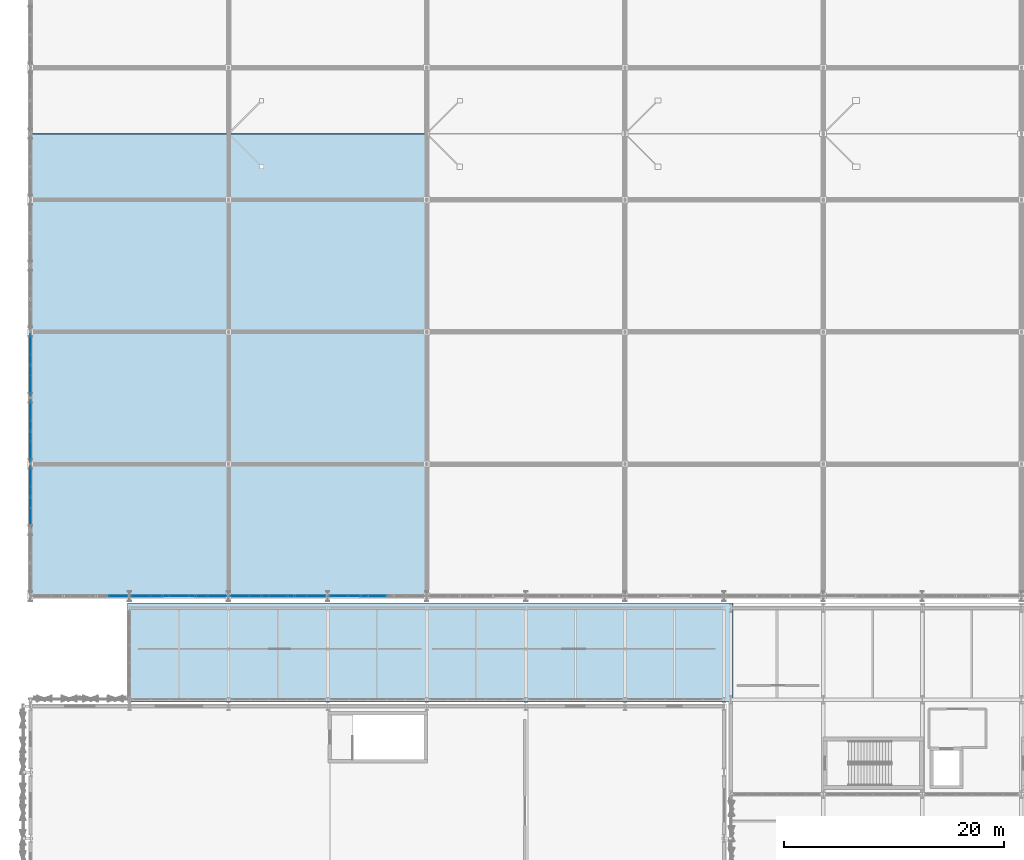
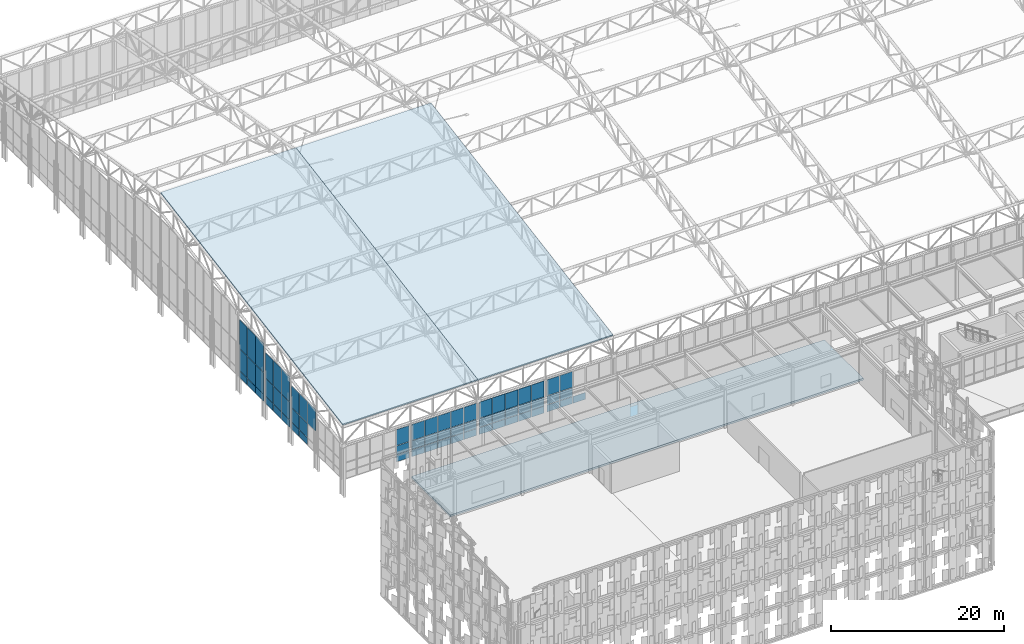
# One storey, part 180 of 239: 65 plates, 3 slabs, 8 elements without a shape of their own.
"""IFC4 building model written with IfcOpenShell, lengths in metres."""

from ifc_helpers import new_model, si_unit, direction, frame, origin, origin_2d, place, context, subcontext, project, spatial, polyline, rectangle, outline, extrude, material, layer, layer_set, type_object, element, aggregate, save


model = new_model("IFC4")

# Units and contexts
model_context = context("Model", 3, precision=1e-05, world=origin(), true_north=direction((0.0, 1.0)))
body_context = subcontext(model_context, "Body", "Model", "MODEL_VIEW")
ifc_project = project(units=[si_unit("LENGTHUNIT", "METRE"), si_unit("AREAUNIT", "SQUARE_METRE"), si_unit("VOLUMEUNIT", "CUBIC_METRE"), si_unit("PLANEANGLEUNIT", "RADIAN"), si_unit("MASSUNIT", "GRAM", prefix="KILO")], contexts=[model_context])

# Site, building, storey
site_placement = place(None, origin())
site = spatial("IfcSite", under=ifc_project, at=site_placement, CompositionType="ELEMENT")
building_placement = place(site_placement, origin())
building = spatial("IfcBuilding", under=site, at=building_placement, Name="Kaldris Quays Convention Centre", CompositionType="ELEMENT")
storey_placement = place(building_placement, frame((0.0, 0.0, 11.39990234375)))
storey = spatial("IfcBuildingStorey", under=building, at=storey_placement, Name="L02", CompositionType="ELEMENT", Elevation=11.39990234375)

# Curtain wall, plates
ifc_material_1 = material(Name="Anodized aluminium AW-6060 and triple glazing", Category="aluminium")
curtain_wall_type = type_object("IfcCurtainWallType", Name="UNITISED CURTAIN WALL CW03", PredefinedType="NOTDEFINED", material=ifc_material_1)
curtain_wall_1_placement = place(storey_placement, origin())
curtain_wall_1 = element("IfcCurtainWall", 1, at=curtain_wall_1_placement, inside=storey, type_object=curtain_wall_type, Name="L02 Unitised Curtain Wall CW03 233", PredefinedType="NOTDEFINED")
ifc_material_2 = material(Name="Triple low-E insulated glazing", Category="glass")
plate_type_1 = type_object("IfcPlateType", Name="CURTAIN GLAZING PANEL CWP1", PredefinedType="CURTAIN_PANEL", material=ifc_material_2)
plate_1_placement = place(storey_placement, frame((48.027099609375, 56.0, 2.255126953125), z_axis=(0.0, 0.0, 1.0), x_axis=(1.0, 0.0, 0.0)))
plate_1 = element("IfcPlate", 2, at=plate_1_placement, type_object=plate_type_1, Name="CW03 panel 1.1", PredefinedType="CURTAIN_PANEL", context=body_context, shape_type="SweptSolid", body=[
    extrude(rectangle(XDim=1.654052734375, YDim=0.029052734375, at=origin_2d()), origin(), (0.0, 0.0, 1.0), 0.9599609375),
])
plate_2_placement = place(storey_placement, frame((48.027099609375, 56.0, 3.27490234375), z_axis=(0.0, 0.0, 1.0), x_axis=(1.0, 0.0, 0.0)))
plate_2 = element("IfcPlate", 3, at=plate_2_placement, type_object=plate_type_1, Name="CW03 panel 1.2", PredefinedType="CURTAIN_PANEL", context=body_context, shape_type="SweptSolid", body=[
    extrude(rectangle(XDim=1.654052734375, YDim=0.029052734375, at=origin_2d()), origin(), (0.0, 0.0, 1.0), 1.217041015625),
])
plate_3_placement = place(storey_placement, frame((48.027099609375, 56.0, 4.55224609375), z_axis=(0.0, 0.0, 1.0), x_axis=(1.0, 0.0, 0.0)))
plate_3 = element("IfcPlate", 4, at=plate_3_placement, type_object=plate_type_1, Name="CW03 panel 1.3", PredefinedType="CURTAIN_PANEL", context=body_context, shape_type="SweptSolid", body=[
    extrude(rectangle(XDim=1.654052734375, YDim=0.029052734375, at=origin_2d()), origin(), (0.0, 0.0, 1.0), 2.238037109375),
])
plate_4_placement = place(storey_placement, frame((49.756103515625, 56.0, 2.255126953125), z_axis=(0.0, 0.0, 1.0), x_axis=(1.0, 0.0, 0.0)))
plate_4 = element("IfcPlate", 5, at=plate_4_placement, type_object=plate_type_1, Name="CW03 panel 2.1", PredefinedType="CURTAIN_PANEL", context=body_context, shape_type="SweptSolid", body=[
    extrude(rectangle(XDim=1.68408203125, YDim=0.029052734375, at=origin_2d()), origin(), (0.0, 0.0, 1.0), 0.9599609375),
])
plate_5_placement = place(storey_placement, frame((49.756103515625, 56.0, 3.27490234375), z_axis=(0.0, 0.0, 1.0), x_axis=(1.0, 0.0, 0.0)))
plate_5 = element("IfcPlate", 6, at=plate_5_placement, type_object=plate_type_1, Name="CW03 panel 2.2", PredefinedType="CURTAIN_PANEL", context=body_context, shape_type="SweptSolid", body=[
    extrude(rectangle(XDim=1.68408203125, YDim=0.029052734375, at=origin_2d()), origin(), (0.0, 0.0, 1.0), 1.217041015625),
])
plate_6_placement = place(storey_placement, frame((49.756103515625, 56.0, 4.55224609375), z_axis=(0.0, 0.0, 1.0), x_axis=(1.0, 0.0, 0.0)))
plate_6 = element("IfcPlate", 7, at=plate_6_placement, type_object=plate_type_1, Name="CW03 panel 2.3", PredefinedType="CURTAIN_PANEL", context=body_context, shape_type="SweptSolid", body=[
    extrude(rectangle(XDim=1.68408203125, YDim=0.029052734375, at=origin_2d()), origin(), (0.0, 0.0, 1.0), 2.238037109375),
])
plate_7_placement = place(storey_placement, frame((51.5, 56.0, 2.255126953125), z_axis=(0.0, 0.0, 1.0), x_axis=(1.0, 0.0, 0.0)))
plate_7 = element("IfcPlate", 8, at=plate_7_placement, type_object=plate_type_1, Name="CW03 panel 3.1", PredefinedType="CURTAIN_PANEL", context=body_context, shape_type="SweptSolid", body=[
    extrude(rectangle(XDim=1.68408203125, YDim=0.029052734375, at=origin_2d()), origin(), (0.0, 0.0, 1.0), 0.9599609375),
])
aggregate(curtain_wall_1, [plate_1, plate_2, plate_3, plate_4, plate_5, plate_6, plate_7])

curtain_wall_2_placement = place(storey_placement, origin())
curtain_wall_2 = element("IfcCurtainWall", 9, at=curtain_wall_2_placement, inside=storey, type_object=curtain_wall_type, Name="L02 Unitised Curtain Wall CW03 227", PredefinedType="NOTDEFINED")
plate_type_2 = type_object("IfcPlateType", Name="CURTAIN GLAZING PANEL CWP3", PredefinedType="CURTAIN_PANEL", material=ifc_material_2)
plate_8_placement = place(storey_placement, frame((27.972900390625, 56.0, 2.255126953125), z_axis=(0.0, 0.0, 1.0), x_axis=(1.0, 0.0, 0.0)))
plate_8 = element("IfcPlate", 10, at=plate_8_placement, type_object=plate_type_2, Name="CW03 panel 5.1", PredefinedType="CURTAIN_PANEL", context=body_context, shape_type="SweptSolid", body=[
    extrude(rectangle(XDim=1.654052734375, YDim=0.0390625, at=origin_2d()), origin(), (0.0, 0.0, 1.0), 0.9599609375),
])
plate_9_placement = place(storey_placement, frame((27.972900390625, 56.0, 3.27490234375), z_axis=(0.0, 0.0, 1.0), x_axis=(1.0, 0.0, 0.0)))
plate_9 = element("IfcPlate", 11, at=plate_9_placement, type_object=plate_type_2, Name="CW03 panel 5.2", PredefinedType="CURTAIN_PANEL", context=body_context, shape_type="SweptSolid", body=[
    extrude(rectangle(XDim=1.654052734375, YDim=0.0390625, at=origin_2d()), origin(), (0.0, 0.0, 1.0), 1.217041015625),
])
plate_10_placement = place(storey_placement, frame((27.972900390625, 56.0, 4.55224609375), z_axis=(0.0, 0.0, 1.0), x_axis=(1.0, 0.0, 0.0)))
plate_10 = element("IfcPlate", 12, at=plate_10_placement, type_object=plate_type_2, Name="CW03 panel 5.3", PredefinedType="CURTAIN_PANEL", context=body_context, shape_type="SweptSolid", body=[
    extrude(rectangle(XDim=1.654052734375, YDim=0.0390625, at=origin_2d()), origin(), (0.0, 0.0, 1.0), 2.238037109375),
])
aggregate(curtain_wall_2, [plate_8, plate_9, plate_10])

curtain_wall_3_placement = place(storey_placement, origin())
curtain_wall_3 = element("IfcCurtainWall", 13, at=curtain_wall_3_placement, inside=storey, type_object=curtain_wall_type, Name="L02 Unitised Curtain Wall CW03 229", PredefinedType="NOTDEFINED")
plate_type_3 = type_object("IfcPlateType", Name="CURTAIN GLAZING PANEL CWP5", PredefinedType="CURTAIN_PANEL", material=ifc_material_2)
plate_11_placement = place(storey_placement, frame((30.027099609375, 56.0, 2.255126953125), z_axis=(0.0, 0.0, 1.0), x_axis=(1.0, 0.0, 0.0)))
plate_11 = element("IfcPlate", 14, at=plate_11_placement, type_object=plate_type_3, Name="CW03 panel 1.1", PredefinedType="CURTAIN_PANEL", context=body_context, shape_type="SweptSolid", body=[
    extrude(rectangle(XDim=1.654052734375, YDim=0.049072265625, at=origin_2d()), origin(), (0.0, 0.0, 1.0), 0.9599609375),
])
plate_12_placement = place(storey_placement, frame((30.027099609375, 56.0, 3.27490234375), z_axis=(0.0, 0.0, 1.0), x_axis=(1.0, 0.0, 0.0)))
plate_12 = element("IfcPlate", 15, at=plate_12_placement, type_object=plate_type_3, Name="CW03 panel 1.2", PredefinedType="CURTAIN_PANEL", context=body_context, shape_type="SweptSolid", body=[
    extrude(rectangle(XDim=1.654052734375, YDim=0.049072265625, at=origin_2d()), origin(), (0.0, 0.0, 1.0), 1.217041015625),
])
plate_13_placement = place(storey_placement, frame((30.027099609375, 56.0, 4.55224609375), z_axis=(0.0, 0.0, 1.0), x_axis=(1.0, 0.0, 0.0)))
plate_13 = element("IfcPlate", 16, at=plate_13_placement, type_object=plate_type_3, Name="CW03 panel 1.3", PredefinedType="CURTAIN_PANEL", context=body_context, shape_type="SweptSolid", body=[
    extrude(rectangle(XDim=1.654052734375, YDim=0.049072265625, at=origin_2d()), origin(), (0.0, 0.0, 1.0), 2.238037109375),
])
plate_14_placement = place(storey_placement, frame((31.756103515625, 56.0, 2.255126953125), z_axis=(0.0, 0.0, 1.0), x_axis=(1.0, 0.0, 0.0)))
plate_14 = element("IfcPlate", 17, at=plate_14_placement, type_object=plate_type_3, Name="CW03 panel 2.1", PredefinedType="CURTAIN_PANEL", context=body_context, shape_type="SweptSolid", body=[
    extrude(rectangle(XDim=1.68408203125, YDim=0.049072265625, at=origin_2d()), origin(), (0.0, 0.0, 1.0), 0.9599609375),
])
plate_15_placement = place(storey_placement, frame((31.756103515625, 56.0, 3.27490234375), z_axis=(0.0, 0.0, 1.0), x_axis=(1.0, 0.0, 0.0)))
plate_15 = element("IfcPlate", 18, at=plate_15_placement, type_object=plate_type_3, Name="CW03 panel 2.2", PredefinedType="CURTAIN_PANEL", context=body_context, shape_type="SweptSolid", body=[
    extrude(rectangle(XDim=1.68408203125, YDim=0.049072265625, at=origin_2d()), origin(), (0.0, 0.0, 1.0), 1.217041015625),
])
plate_16_placement = place(storey_placement, frame((31.756103515625, 56.0, 4.55224609375), z_axis=(0.0, 0.0, 1.0), x_axis=(1.0, 0.0, 0.0)))
plate_16 = element("IfcPlate", 19, at=plate_16_placement, type_object=plate_type_3, Name="CW03 panel 2.3", PredefinedType="CURTAIN_PANEL", context=body_context, shape_type="SweptSolid", body=[
    extrude(rectangle(XDim=1.68408203125, YDim=0.049072265625, at=origin_2d()), origin(), (0.0, 0.0, 1.0), 2.238037109375),
])
plate_17_placement = place(storey_placement, frame((33.5, 56.0, 2.255126953125), z_axis=(0.0, 0.0, 1.0), x_axis=(1.0, 0.0, 0.0)))
plate_17 = element("IfcPlate", 20, at=plate_17_placement, type_object=plate_type_3, Name="CW03 panel 3.1", PredefinedType="CURTAIN_PANEL", context=body_context, shape_type="SweptSolid", body=[
    extrude(rectangle(XDim=1.68408203125, YDim=0.049072265625, at=origin_2d()), origin(), (0.0, 0.0, 1.0), 0.9599609375),
])
plate_18_placement = place(storey_placement, frame((33.5, 56.0, 3.27490234375), z_axis=(0.0, 0.0, 1.0), x_axis=(1.0, 0.0, 0.0)))
plate_18 = element("IfcPlate", 21, at=plate_18_placement, type_object=plate_type_3, Name="CW03 panel 3.2", PredefinedType="CURTAIN_PANEL", context=body_context, shape_type="SweptSolid", body=[
    extrude(rectangle(XDim=1.68408203125, YDim=0.049072265625, at=origin_2d()), origin(), (0.0, 0.0, 1.0), 1.217041015625),
])
plate_19_placement = place(storey_placement, frame((33.5, 56.0, 4.55224609375), z_axis=(0.0, 0.0, 1.0), x_axis=(1.0, 0.0, 0.0)))
plate_19 = element("IfcPlate", 22, at=plate_19_placement, type_object=plate_type_3, Name="CW03 panel 3.3", PredefinedType="CURTAIN_PANEL", context=body_context, shape_type="SweptSolid", body=[
    extrude(rectangle(XDim=1.68408203125, YDim=0.049072265625, at=origin_2d()), origin(), (0.0, 0.0, 1.0), 2.238037109375),
])
plate_20_placement = place(storey_placement, frame((35.243896484375, 56.0, 2.255126953125), z_axis=(0.0, 0.0, 1.0), x_axis=(1.0, 0.0, 0.0)))
plate_20 = element("IfcPlate", 23, at=plate_20_placement, type_object=plate_type_3, Name="CW03 panel 4.1", PredefinedType="CURTAIN_PANEL", context=body_context, shape_type="SweptSolid", body=[
    extrude(rectangle(XDim=1.68408203125, YDim=0.049072265625, at=origin_2d()), origin(), (0.0, 0.0, 1.0), 0.9599609375),
])
plate_21_placement = place(storey_placement, frame((35.243896484375, 56.0, 3.27490234375), z_axis=(0.0, 0.0, 1.0), x_axis=(1.0, 0.0, 0.0)))
plate_21 = element("IfcPlate", 24, at=plate_21_placement, type_object=plate_type_3, Name="CW03 panel 4.2", PredefinedType="CURTAIN_PANEL", context=body_context, shape_type="SweptSolid", body=[
    extrude(rectangle(XDim=1.68408203125, YDim=0.049072265625, at=origin_2d()), origin(), (0.0, 0.0, 1.0), 1.217041015625),
])
plate_22_placement = place(storey_placement, frame((35.243896484375, 56.0, 4.55224609375), z_axis=(0.0, 0.0, 1.0), x_axis=(1.0, 0.0, 0.0)))
plate_22 = element("IfcPlate", 25, at=plate_22_placement, type_object=plate_type_3, Name="CW03 panel 4.3", PredefinedType="CURTAIN_PANEL", context=body_context, shape_type="SweptSolid", body=[
    extrude(rectangle(XDim=1.68408203125, YDim=0.049072265625, at=origin_2d()), origin(), (0.0, 0.0, 1.0), 2.238037109375),
])
plate_23_placement = place(storey_placement, frame((36.972900390625, 56.0, 2.255126953125), z_axis=(0.0, 0.0, 1.0), x_axis=(1.0, 0.0, 0.0)))
plate_23 = element("IfcPlate", 26, at=plate_23_placement, type_object=plate_type_3, Name="CW03 panel 5.1", PredefinedType="CURTAIN_PANEL", context=body_context, shape_type="SweptSolid", body=[
    extrude(rectangle(XDim=1.654052734375, YDim=0.049072265625, at=origin_2d()), origin(), (0.0, 0.0, 1.0), 0.9599609375),
])
plate_24_placement = place(storey_placement, frame((36.972900390625, 56.0, 3.27490234375), z_axis=(0.0, 0.0, 1.0), x_axis=(1.0, 0.0, 0.0)))
plate_24 = element("IfcPlate", 27, at=plate_24_placement, type_object=plate_type_3, Name="CW03 panel 5.2", PredefinedType="CURTAIN_PANEL", context=body_context, shape_type="SweptSolid", body=[
    extrude(rectangle(XDim=1.654052734375, YDim=0.049072265625, at=origin_2d()), origin(), (0.0, 0.0, 1.0), 1.217041015625),
])
plate_25_placement = place(storey_placement, frame((36.972900390625, 56.0, 4.55224609375), z_axis=(0.0, 0.0, 1.0), x_axis=(1.0, 0.0, 0.0)))
plate_25 = element("IfcPlate", 28, at=plate_25_placement, type_object=plate_type_3, Name="CW03 panel 5.3", PredefinedType="CURTAIN_PANEL", context=body_context, shape_type="SweptSolid", body=[
    extrude(rectangle(XDim=1.654052734375, YDim=0.049072265625, at=origin_2d()), origin(), (0.0, 0.0, 1.0), 2.238037109375),
])
aggregate(curtain_wall_3, [plate_11, plate_12, plate_13, plate_14, plate_15, plate_16, plate_17, plate_18, plate_19, plate_20, plate_21, plate_22, plate_23, plate_24, plate_25])

curtain_wall_4_placement = place(storey_placement, origin())
curtain_wall_4 = element("IfcCurtainWall", 29, at=curtain_wall_4_placement, inside=storey, type_object=curtain_wall_type, Name="L02 Unitised Curtain Wall CW03 214", PredefinedType="NOTDEFINED")
plate_type_4 = type_object("IfcPlateType", Name="CURTAIN GLAZING PANEL CWP6", PredefinedType="CURTAIN_PANEL", material=ifc_material_2)
plate_26_placement = place(storey_placement, frame((20.0, 63.1083984375, 5.32421875), z_axis=(0.0, 0.0, 1.0), x_axis=(0.0, 1.0, 0.0)))
plate_26 = element("IfcPlate", 30, at=plate_26_placement, type_object=plate_type_4, Name="CW03 panel 1.3", PredefinedType="CURTAIN_PANEL", context=body_context, shape_type="SweptSolid", body=[
    extrude(rectangle(XDim=1.816650390625, YDim=0.053955078125, at=origin_2d()), origin(), (0.0, 0.0, 1.0), 3.009033203125),
])
plate_27_placement = place(storey_placement, frame((20.0, 65.0, 2.255126953125), z_axis=(0.0, 0.0, 1.0), x_axis=(0.0, 1.0, 0.0)))
plate_27 = element("IfcPlate", 31, at=plate_27_placement, type_object=plate_type_4, Name="CW03 panel 2.1", PredefinedType="CURTAIN_PANEL", context=body_context, shape_type="SweptSolid", body=[
    extrude(rectangle(XDim=1.8466796875, YDim=0.053955078125, at=origin_2d()), origin(), (0.0, 0.0, 1.0), 0.9599609375),
])
plate_28_placement = place(storey_placement, frame((20.0, 65.0, 3.27490234375), z_axis=(0.0, 0.0, 1.0), x_axis=(0.0, 1.0, 0.0)))
plate_28 = element("IfcPlate", 32, at=plate_28_placement, type_object=plate_type_4, Name="CW03 panel 2.2", PredefinedType="CURTAIN_PANEL", context=body_context, shape_type="SweptSolid", body=[
    extrude(rectangle(XDim=1.8466796875, YDim=0.053955078125, at=origin_2d()), origin(), (0.0, 0.0, 1.0), 1.989013671875),
])
plate_29_placement = place(storey_placement, frame((20.0, 65.0, 5.32421875), z_axis=(0.0, 0.0, 1.0), x_axis=(0.0, 1.0, 0.0)))
plate_29 = element("IfcPlate", 33, at=plate_29_placement, type_object=plate_type_4, Name="CW03 panel 2.3", PredefinedType="CURTAIN_PANEL", context=body_context, shape_type="SweptSolid", body=[
    extrude(rectangle(XDim=1.8466796875, YDim=0.053955078125, at=origin_2d()), origin(), (0.0, 0.0, 1.0), 3.009033203125),
])
plate_30_placement = place(storey_placement, frame((20.0, 66.8916015625, 2.255126953125), z_axis=(0.0, 0.0, 1.0), x_axis=(0.0, 1.0, 0.0)))
plate_30 = element("IfcPlate", 34, at=plate_30_placement, type_object=plate_type_4, Name="CW03 panel 3.1", PredefinedType="CURTAIN_PANEL", context=body_context, shape_type="SweptSolid", body=[
    extrude(rectangle(XDim=1.816650390625, YDim=0.053955078125, at=origin_2d()), origin(), (0.0, 0.0, 1.0), 0.9599609375),
])
plate_31_placement = place(storey_placement, frame((20.0, 66.8916015625, 3.27490234375), z_axis=(0.0, 0.0, 1.0), x_axis=(0.0, 1.0, 0.0)))
plate_31 = element("IfcPlate", 35, at=plate_31_placement, type_object=plate_type_4, Name="CW03 panel 3.2", PredefinedType="CURTAIN_PANEL", context=body_context, shape_type="SweptSolid", body=[
    extrude(rectangle(XDim=1.816650390625, YDim=0.053955078125, at=origin_2d()), origin(), (0.0, 0.0, 1.0), 1.989013671875),
])
plate_32_placement = place(storey_placement, frame((20.0, 66.8916015625, 5.32421875), z_axis=(0.0, 0.0, 1.0), x_axis=(0.0, 1.0, 0.0)))
plate_32 = element("IfcPlate", 36, at=plate_32_placement, type_object=plate_type_4, Name="CW03 panel 3.3", PredefinedType="CURTAIN_PANEL", context=body_context, shape_type="SweptSolid", body=[
    extrude(rectangle(XDim=1.816650390625, YDim=0.053955078125, at=origin_2d()), origin(), (0.0, 0.0, 1.0), 3.009033203125),
])
aggregate(curtain_wall_4, [plate_26, plate_27, plate_28, plate_29, plate_30, plate_31, plate_32])

curtain_wall_5_placement = place(storey_placement, origin())
curtain_wall_5 = element("IfcCurtainWall", 37, at=curtain_wall_5_placement, inside=storey, type_object=curtain_wall_type, Name="L02 Unitised Curtain Wall CW03 215", PredefinedType="NOTDEFINED")
plate_type_5 = type_object("IfcPlateType", Name="CURTAIN GLAZING PANEL CWP7", PredefinedType="CURTAIN_PANEL", material=ifc_material_2)
plate_33_placement = place(storey_placement, frame((20.0, 69.1083984375, 2.255126953125), z_axis=(0.0, 0.0, 1.0), x_axis=(0.0, 1.0, 0.0)))
plate_33 = element("IfcPlate", 38, at=plate_33_placement, type_object=plate_type_5, Name="CW03 panel 1.1", PredefinedType="CURTAIN_PANEL", context=body_context, shape_type="SweptSolid", body=[
    extrude(rectangle(XDim=1.816650390625, YDim=0.05908203125, at=origin_2d()), origin(), (0.0, 0.0, 1.0), 0.9599609375),
])
plate_34_placement = place(storey_placement, frame((20.0, 69.1083984375, 3.275146484375), z_axis=(0.0, 0.0, 1.0), x_axis=(0.0, 1.0, 0.0)))
plate_34 = element("IfcPlate", 39, at=plate_34_placement, type_object=plate_type_5, Name="CW03 panel 1.2", PredefinedType="CURTAIN_PANEL", context=body_context, shape_type="SweptSolid", body=[
    extrude(rectangle(XDim=1.816650390625, YDim=0.05908203125, at=origin_2d()), origin(), (0.0, 0.0, 1.0), 2.5029296875),
])
plate_35_placement = place(storey_placement, frame((20.0, 69.1083984375, 5.838134765625), z_axis=(0.0, 0.0, 1.0), x_axis=(0.0, 1.0, 0.0)))
plate_35 = element("IfcPlate", 40, at=plate_35_placement, type_object=plate_type_5, Name="CW03 panel 1.3", PredefinedType="CURTAIN_PANEL", context=body_context, shape_type="SweptSolid", body=[
    extrude(rectangle(XDim=1.816650390625, YDim=0.05908203125, at=origin_2d()), origin(), (0.0, 0.0, 1.0), 3.52294921875),
])
plate_36_placement = place(storey_placement, frame((20.0, 71.0, 2.255126953125), z_axis=(0.0, 0.0, 1.0), x_axis=(0.0, 1.0, 0.0)))
plate_36 = element("IfcPlate", 41, at=plate_36_placement, type_object=plate_type_5, Name="CW03 panel 2.1", PredefinedType="CURTAIN_PANEL", context=body_context, shape_type="SweptSolid", body=[
    extrude(rectangle(XDim=1.8466796875, YDim=0.05908203125, at=origin_2d()), origin(), (0.0, 0.0, 1.0), 0.9599609375),
])
plate_37_placement = place(storey_placement, frame((20.0, 71.0, 3.275146484375), z_axis=(0.0, 0.0, 1.0), x_axis=(0.0, 1.0, 0.0)))
plate_37 = element("IfcPlate", 42, at=plate_37_placement, type_object=plate_type_5, Name="CW03 panel 2.2", PredefinedType="CURTAIN_PANEL", context=body_context, shape_type="SweptSolid", body=[
    extrude(rectangle(XDim=1.8466796875, YDim=0.05908203125, at=origin_2d()), origin(), (0.0, 0.0, 1.0), 2.5029296875),
])
plate_38_placement = place(storey_placement, frame((20.0, 71.0, 5.838134765625), z_axis=(0.0, 0.0, 1.0), x_axis=(0.0, 1.0, 0.0)))
plate_38 = element("IfcPlate", 43, at=plate_38_placement, type_object=plate_type_5, Name="CW03 panel 2.3", PredefinedType="CURTAIN_PANEL", context=body_context, shape_type="SweptSolid", body=[
    extrude(rectangle(XDim=1.8466796875, YDim=0.05908203125, at=origin_2d()), origin(), (0.0, 0.0, 1.0), 3.52294921875),
])
plate_39_placement = place(storey_placement, frame((20.0, 72.8916015625, 2.255126953125), z_axis=(0.0, 0.0, 1.0), x_axis=(0.0, 1.0, 0.0)))
plate_39 = element("IfcPlate", 44, at=plate_39_placement, type_object=plate_type_5, Name="CW03 panel 3.1", PredefinedType="CURTAIN_PANEL", context=body_context, shape_type="SweptSolid", body=[
    extrude(rectangle(XDim=1.816650390625, YDim=0.05908203125, at=origin_2d()), origin(), (0.0, 0.0, 1.0), 0.9599609375),
])
plate_40_placement = place(storey_placement, frame((20.0, 72.8916015625, 3.275146484375), z_axis=(0.0, 0.0, 1.0), x_axis=(0.0, 1.0, 0.0)))
plate_40 = element("IfcPlate", 45, at=plate_40_placement, type_object=plate_type_5, Name="CW03 panel 3.2", PredefinedType="CURTAIN_PANEL", context=body_context, shape_type="SweptSolid", body=[
    extrude(rectangle(XDim=1.816650390625, YDim=0.05908203125, at=origin_2d()), origin(), (0.0, 0.0, 1.0), 2.5029296875),
])
plate_41_placement = place(storey_placement, frame((20.0, 72.8916015625, 5.838134765625), z_axis=(0.0, 0.0, 1.0), x_axis=(0.0, 1.0, 0.0)))
plate_41 = element("IfcPlate", 46, at=plate_41_placement, type_object=plate_type_5, Name="CW03 panel 3.3", PredefinedType="CURTAIN_PANEL", context=body_context, shape_type="SweptSolid", body=[
    extrude(rectangle(XDim=1.816650390625, YDim=0.05908203125, at=origin_2d()), origin(), (0.0, 0.0, 1.0), 3.52294921875),
])
aggregate(curtain_wall_5, [plate_33, plate_34, plate_35, plate_36, plate_37, plate_38, plate_39, plate_40, plate_41])

curtain_wall_6_placement = place(storey_placement, origin())
curtain_wall_6 = element("IfcCurtainWall", 47, at=curtain_wall_6_placement, inside=storey, type_object=curtain_wall_type, Name="L02 Unitised Curtain Wall CW03 231", PredefinedType="NOTDEFINED")
plate_42_placement = place(storey_placement, frame((39.027099609375, 56.0, 2.255126953125), z_axis=(0.0, 0.0, 1.0), x_axis=(1.0, 0.0, 0.0)))
plate_42 = element("IfcPlate", 48, at=plate_42_placement, type_object=plate_type_5, Name="CW03 panel 1.1", PredefinedType="CURTAIN_PANEL", context=body_context, shape_type="SweptSolid", body=[
    extrude(rectangle(XDim=1.654052734375, YDim=0.05908203125, at=origin_2d()), origin(), (0.0, 0.0, 1.0), 0.9599609375),
])
plate_43_placement = place(storey_placement, frame((39.027099609375, 56.0, 3.27490234375), z_axis=(0.0, 0.0, 1.0), x_axis=(1.0, 0.0, 0.0)))
plate_43 = element("IfcPlate", 49, at=plate_43_placement, type_object=plate_type_5, Name="CW03 panel 1.2", PredefinedType="CURTAIN_PANEL", context=body_context, shape_type="SweptSolid", body=[
    extrude(rectangle(XDim=1.654052734375, YDim=0.05908203125, at=origin_2d()), origin(), (0.0, 0.0, 1.0), 1.217041015625),
])
plate_44_placement = place(storey_placement, frame((39.027099609375, 56.0, 4.55224609375), z_axis=(0.0, 0.0, 1.0), x_axis=(1.0, 0.0, 0.0)))
plate_44 = element("IfcPlate", 50, at=plate_44_placement, type_object=plate_type_5, Name="CW03 panel 1.3", PredefinedType="CURTAIN_PANEL", context=body_context, shape_type="SweptSolid", body=[
    extrude(rectangle(XDim=1.654052734375, YDim=0.05908203125, at=origin_2d()), origin(), (0.0, 0.0, 1.0), 2.238037109375),
])
plate_45_placement = place(storey_placement, frame((40.756103515625, 56.0, 2.255126953125), z_axis=(0.0, 0.0, 1.0), x_axis=(1.0, 0.0, 0.0)))
plate_45 = element("IfcPlate", 51, at=plate_45_placement, type_object=plate_type_5, Name="CW03 panel 2.1", PredefinedType="CURTAIN_PANEL", context=body_context, shape_type="SweptSolid", body=[
    extrude(rectangle(XDim=1.68408203125, YDim=0.05908203125, at=origin_2d()), origin(), (0.0, 0.0, 1.0), 0.9599609375),
])
plate_46_placement = place(storey_placement, frame((40.756103515625, 56.0, 3.27490234375), z_axis=(0.0, 0.0, 1.0), x_axis=(1.0, 0.0, 0.0)))
plate_46 = element("IfcPlate", 52, at=plate_46_placement, type_object=plate_type_5, Name="CW03 panel 2.2", PredefinedType="CURTAIN_PANEL", context=body_context, shape_type="SweptSolid", body=[
    extrude(rectangle(XDim=1.68408203125, YDim=0.05908203125, at=origin_2d()), origin(), (0.0, 0.0, 1.0), 1.217041015625),
])
plate_47_placement = place(storey_placement, frame((40.756103515625, 56.0, 4.55224609375), z_axis=(0.0, 0.0, 1.0), x_axis=(1.0, 0.0, 0.0)))
plate_47 = element("IfcPlate", 53, at=plate_47_placement, type_object=plate_type_5, Name="CW03 panel 2.3", PredefinedType="CURTAIN_PANEL", context=body_context, shape_type="SweptSolid", body=[
    extrude(rectangle(XDim=1.68408203125, YDim=0.05908203125, at=origin_2d()), origin(), (0.0, 0.0, 1.0), 2.238037109375),
])
plate_48_placement = place(storey_placement, frame((42.5, 56.0, 2.255126953125), z_axis=(0.0, 0.0, 1.0), x_axis=(1.0, 0.0, 0.0)))
plate_48 = element("IfcPlate", 54, at=plate_48_placement, type_object=plate_type_5, Name="CW03 panel 3.1", PredefinedType="CURTAIN_PANEL", context=body_context, shape_type="SweptSolid", body=[
    extrude(rectangle(XDim=1.68408203125, YDim=0.05908203125, at=origin_2d()), origin(), (0.0, 0.0, 1.0), 0.9599609375),
])
plate_49_placement = place(storey_placement, frame((42.5, 56.0, 3.27490234375), z_axis=(0.0, 0.0, 1.0), x_axis=(1.0, 0.0, 0.0)))
plate_49 = element("IfcPlate", 55, at=plate_49_placement, type_object=plate_type_5, Name="CW03 panel 3.2", PredefinedType="CURTAIN_PANEL", context=body_context, shape_type="SweptSolid", body=[
    extrude(rectangle(XDim=1.68408203125, YDim=0.05908203125, at=origin_2d()), origin(), (0.0, 0.0, 1.0), 1.217041015625),
])
plate_50_placement = place(storey_placement, frame((42.5, 56.0, 4.55224609375), z_axis=(0.0, 0.0, 1.0), x_axis=(1.0, 0.0, 0.0)))
plate_50 = element("IfcPlate", 56, at=plate_50_placement, type_object=plate_type_5, Name="CW03 panel 3.3", PredefinedType="CURTAIN_PANEL", context=body_context, shape_type="SweptSolid", body=[
    extrude(rectangle(XDim=1.68408203125, YDim=0.05908203125, at=origin_2d()), origin(), (0.0, 0.0, 1.0), 2.238037109375),
])
plate_51_placement = place(storey_placement, frame((44.243896484375, 56.0, 2.255126953125), z_axis=(0.0, 0.0, 1.0), x_axis=(1.0, 0.0, 0.0)))
plate_51 = element("IfcPlate", 57, at=plate_51_placement, type_object=plate_type_5, Name="CW03 panel 4.1", PredefinedType="CURTAIN_PANEL", context=body_context, shape_type="SweptSolid", body=[
    extrude(rectangle(XDim=1.68408203125, YDim=0.05908203125, at=origin_2d()), origin(), (0.0, 0.0, 1.0), 0.9599609375),
])
plate_52_placement = place(storey_placement, frame((44.243896484375, 56.0, 3.27490234375), z_axis=(0.0, 0.0, 1.0), x_axis=(1.0, 0.0, 0.0)))
plate_52 = element("IfcPlate", 58, at=plate_52_placement, type_object=plate_type_5, Name="CW03 panel 4.2", PredefinedType="CURTAIN_PANEL", context=body_context, shape_type="SweptSolid", body=[
    extrude(rectangle(XDim=1.68408203125, YDim=0.05908203125, at=origin_2d()), origin(), (0.0, 0.0, 1.0), 1.217041015625),
])
plate_53_placement = place(storey_placement, frame((44.243896484375, 56.0, 4.55224609375), z_axis=(0.0, 0.0, 1.0), x_axis=(1.0, 0.0, 0.0)))
plate_53 = element("IfcPlate", 59, at=plate_53_placement, type_object=plate_type_5, Name="CW03 panel 4.3", PredefinedType="CURTAIN_PANEL", context=body_context, shape_type="SweptSolid", body=[
    extrude(rectangle(XDim=1.68408203125, YDim=0.05908203125, at=origin_2d()), origin(), (0.0, 0.0, 1.0), 2.238037109375),
])
plate_54_placement = place(storey_placement, frame((45.972900390625, 56.0, 2.255126953125), z_axis=(0.0, 0.0, 1.0), x_axis=(1.0, 0.0, 0.0)))
plate_54 = element("IfcPlate", 60, at=plate_54_placement, type_object=plate_type_5, Name="CW03 panel 5.1", PredefinedType="CURTAIN_PANEL", context=body_context, shape_type="SweptSolid", body=[
    extrude(rectangle(XDim=1.654052734375, YDim=0.05908203125, at=origin_2d()), origin(), (0.0, 0.0, 1.0), 0.9599609375),
])
plate_55_placement = place(storey_placement, frame((45.972900390625, 56.0, 3.27490234375), z_axis=(0.0, 0.0, 1.0), x_axis=(1.0, 0.0, 0.0)))
plate_55 = element("IfcPlate", 61, at=plate_55_placement, type_object=plate_type_5, Name="CW03 panel 5.2", PredefinedType="CURTAIN_PANEL", context=body_context, shape_type="SweptSolid", body=[
    extrude(rectangle(XDim=1.654052734375, YDim=0.05908203125, at=origin_2d()), origin(), (0.0, 0.0, 1.0), 1.217041015625),
])
plate_56_placement = place(storey_placement, frame((45.972900390625, 56.0, 4.55224609375), z_axis=(0.0, 0.0, 1.0), x_axis=(1.0, 0.0, 0.0)))
plate_56 = element("IfcPlate", 62, at=plate_56_placement, type_object=plate_type_5, Name="CW03 panel 5.3", PredefinedType="CURTAIN_PANEL", context=body_context, shape_type="SweptSolid", body=[
    extrude(rectangle(XDim=1.654052734375, YDim=0.05908203125, at=origin_2d()), origin(), (0.0, 0.0, 1.0), 2.238037109375),
])
aggregate(curtain_wall_6, [plate_42, plate_43, plate_44, plate_45, plate_46, plate_47, plate_48, plate_49, plate_50, plate_51, plate_52, plate_53, plate_54, plate_55, plate_56])

curtain_wall_7_placement = place(storey_placement, origin())
curtain_wall_7 = element("IfcCurtainWall", 63, at=curtain_wall_7_placement, inside=storey, type_object=curtain_wall_type, Name="L02 Unitised Curtain Wall CW03 216", PredefinedType="NOTDEFINED")
plate_type_6 = type_object("IfcPlateType", Name="CURTAIN GLAZING PANEL CWP8", PredefinedType="CURTAIN_PANEL", material=ifc_material_2)
plate_57_placement = place(storey_placement, frame((20.0, 75.1083984375, 2.255126953125), z_axis=(0.0, 0.0, 1.0), x_axis=(0.0, 1.0, 0.0)))
plate_57 = element("IfcPlate", 64, at=plate_57_placement, type_object=plate_type_6, Name="CW03 panel 1.1", PredefinedType="CURTAIN_PANEL", context=body_context, shape_type="SweptSolid", body=[
    extrude(rectangle(XDim=1.816650390625, YDim=0.06396484375, at=origin_2d()), origin(), (0.0, 0.0, 1.0), 0.9599609375),
])
plate_58_placement = place(storey_placement, frame((20.0, 75.1083984375, 3.275146484375), z_axis=(0.0, 0.0, 1.0), x_axis=(0.0, 1.0, 0.0)))
plate_58 = element("IfcPlate", 65, at=plate_58_placement, type_object=plate_type_6, Name="CW03 panel 1.2", PredefinedType="CURTAIN_PANEL", context=body_context, shape_type="SweptSolid", body=[
    extrude(rectangle(XDim=1.816650390625, YDim=0.06396484375, at=origin_2d()), origin(), (0.0, 0.0, 1.0), 3.01806640625),
])
plate_59_placement = place(storey_placement, frame((20.0, 75.1083984375, 6.35302734375), z_axis=(0.0, 0.0, 1.0), x_axis=(0.0, 1.0, 0.0)))
plate_59 = element("IfcPlate", 66, at=plate_59_placement, type_object=plate_type_6, Name="CW03 panel 1.3", PredefinedType="CURTAIN_PANEL", context=body_context, shape_type="SweptSolid", body=[
    extrude(rectangle(XDim=1.816650390625, YDim=0.06396484375, at=origin_2d()), origin(), (0.0, 0.0, 1.0), 4.037109375),
])
plate_60_placement = place(storey_placement, frame((20.0, 77.0, 2.255126953125), z_axis=(0.0, 0.0, 1.0), x_axis=(0.0, 1.0, 0.0)))
plate_60 = element("IfcPlate", 67, at=plate_60_placement, type_object=plate_type_6, Name="CW03 panel 2.1", PredefinedType="CURTAIN_PANEL", context=body_context, shape_type="SweptSolid", body=[
    extrude(rectangle(XDim=1.8466796875, YDim=0.06396484375, at=origin_2d()), origin(), (0.0, 0.0, 1.0), 0.9599609375),
])
plate_61_placement = place(storey_placement, frame((20.0, 77.0, 3.275146484375), z_axis=(0.0, 0.0, 1.0), x_axis=(0.0, 1.0, 0.0)))
plate_61 = element("IfcPlate", 68, at=plate_61_placement, type_object=plate_type_6, Name="CW03 panel 2.2", PredefinedType="CURTAIN_PANEL", context=body_context, shape_type="SweptSolid", body=[
    extrude(rectangle(XDim=1.8466796875, YDim=0.06396484375, at=origin_2d()), origin(), (0.0, 0.0, 1.0), 3.01806640625),
])
plate_62_placement = place(storey_placement, frame((20.0, 77.0, 6.35302734375), z_axis=(0.0, 0.0, 1.0), x_axis=(0.0, 1.0, 0.0)))
plate_62 = element("IfcPlate", 69, at=plate_62_placement, type_object=plate_type_6, Name="CW03 panel 2.3", PredefinedType="CURTAIN_PANEL", context=body_context, shape_type="SweptSolid", body=[
    extrude(rectangle(XDim=1.8466796875, YDim=0.06396484375, at=origin_2d()), origin(), (0.0, 0.0, 1.0), 4.037109375),
])
plate_63_placement = place(storey_placement, frame((20.0, 78.8916015625, 2.255126953125), z_axis=(0.0, 0.0, 1.0), x_axis=(0.0, 1.0, 0.0)))
plate_63 = element("IfcPlate", 70, at=plate_63_placement, type_object=plate_type_6, Name="CW03 panel 3.1", PredefinedType="CURTAIN_PANEL", context=body_context, shape_type="SweptSolid", body=[
    extrude(rectangle(XDim=1.816650390625, YDim=0.06396484375, at=origin_2d()), origin(), (0.0, 0.0, 1.0), 0.9599609375),
])
plate_64_placement = place(storey_placement, frame((20.0, 78.8916015625, 3.275146484375), z_axis=(0.0, 0.0, 1.0), x_axis=(0.0, 1.0, 0.0)))
plate_64 = element("IfcPlate", 71, at=plate_64_placement, type_object=plate_type_6, Name="CW03 panel 3.2", PredefinedType="CURTAIN_PANEL", context=body_context, shape_type="SweptSolid", body=[
    extrude(rectangle(XDim=1.816650390625, YDim=0.06396484375, at=origin_2d()), origin(), (0.0, 0.0, 1.0), 3.01806640625),
])
plate_65_placement = place(storey_placement, frame((20.0, 78.8916015625, 6.35302734375), z_axis=(0.0, 0.0, 1.0), x_axis=(0.0, 1.0, 0.0)))
plate_65 = element("IfcPlate", 72, at=plate_65_placement, type_object=plate_type_6, Name="CW03 panel 3.3", PredefinedType="CURTAIN_PANEL", context=body_context, shape_type="SweptSolid", body=[
    extrude(rectangle(XDim=1.816650390625, YDim=0.06396484375, at=origin_2d()), origin(), (0.0, 0.0, 1.0), 4.037109375),
])
aggregate(curtain_wall_7, [plate_57, plate_58, plate_59, plate_60, plate_61, plate_62, plate_63, plate_64, plate_65])

# Slab
ifc_material_3 = material(Name="Concrete C35/45", Category="concrete")
ifc_layer_1 = layer(ifc_material_3, 0.2548828125)
ifc_layer_set_1 = layer_set([ifc_layer_1], Name="Concrete C35/45")
slab_type_1 = type_object("IfcSlabType", Name="STRUCTURAL SLAB FS06", PredefinedType="FLOOR", material=ifc_layer_set_1)
slab_1_placement = place(storey_placement, frame((0.0, 0.0, -0.2548828125)))
element("IfcSlab", 73, at=slab_1_placement, inside=storey, type_object=slab_type_1, Name="L02 V4 L02 West Congress Suites SLAB-L02-V4W", PredefinedType="FLOOR", context=body_context, shape_type="SweptSolid", body=[
    extrude(outline(polyline([(28.800048828125, 46.39990234375), (28.800048828125, 55.375), (83.800048828125, 55.375), (83.800048828125, 46.39990234375), (28.800048828125, 46.39990234375)])), origin(), (0.0, 0.0, 1.0), 0.2548828125),
])

# Roof, slabs
ifc_material_4 = material(Name="Steel S355J2", Category="steel")
ifc_layer_2 = layer(ifc_material_4, 0.175048828125)
ifc_layer_set_2 = layer_set([ifc_layer_2], Name="Steel S355J2")
roof_type = type_object("IfcRoofType", Name="SPACE FRAME GABLE ROOF RF01", PredefinedType="GABLE_ROOF", material=ifc_layer_set_2)
roof_placement = place(storey_placement, origin())
roof = element("IfcRoof", 74, at=roof_placement, inside=storey, type_object=roof_type, Name="Space-Frame Roof ROOF-V1-SF", PredefinedType="GABLE_ROOF")
ifc_layer_3 = layer(ifc_material_4, 0.175048828125)
ifc_layer_set_3 = layer_set([ifc_layer_3], Name="Steel S355J2")
slab_type_2 = type_object("IfcSlabType", Name="STRUCTURAL SLAB RS02", PredefinedType="ROOF", material=ifc_layer_set_3)
slab_2_placement = place(storey_placement, frame((20.0, 56.0, 10.0498046875), z_axis=(0.0, -0.168959837226, 0.985622936728), x_axis=(1.0, 0.0, 0.0)))
slab_2 = element("IfcSlab", 75, at=slab_2_placement, type_object=slab_type_2, Name="SF-V1 Pitched Roof Deck 1.1", PredefinedType="ROOF", context=body_context, shape_type="SweptSolid", body=[
    extrude(outline(polyline([(0.0, 0.0), (18.0, 0.0), (18.0, 42.587379100153214), (0.0, 42.587379100153214), (0.0, 0.0)])), origin(), (0.0, 0.0, -1.0), 0.175048828125),
])
slab_3_placement = place(storey_placement, frame((38.0, 56.0, 10.0498046875), z_axis=(0.0, -0.168959837226, 0.985622936728), x_axis=(1.0, 0.0, 0.0)))
slab_3 = element("IfcSlab", 76, at=slab_3_placement, type_object=slab_type_2, Name="SF-V1 Pitched Roof Deck 1.2", PredefinedType="ROOF", context=body_context, shape_type="SweptSolid", body=[
    extrude(outline(polyline([(0.0, 0.0), (18.0, 0.0), (18.0, 42.587379100153214), (0.0, 42.587379100153214), (0.0, 0.0)])), origin(), (0.0, 0.0, -1.0), 0.175048828125),
])
aggregate(roof, [slab_2, slab_3])

save(model, "model.ifc")
